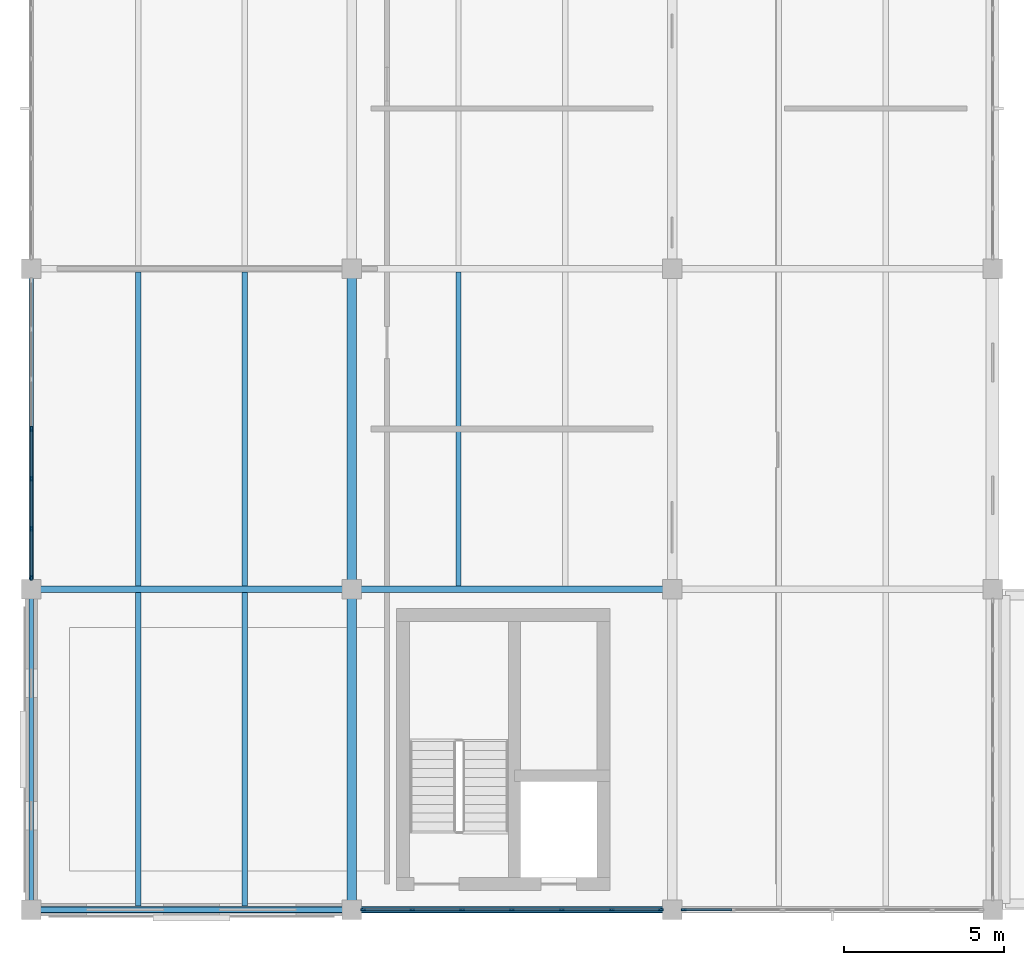
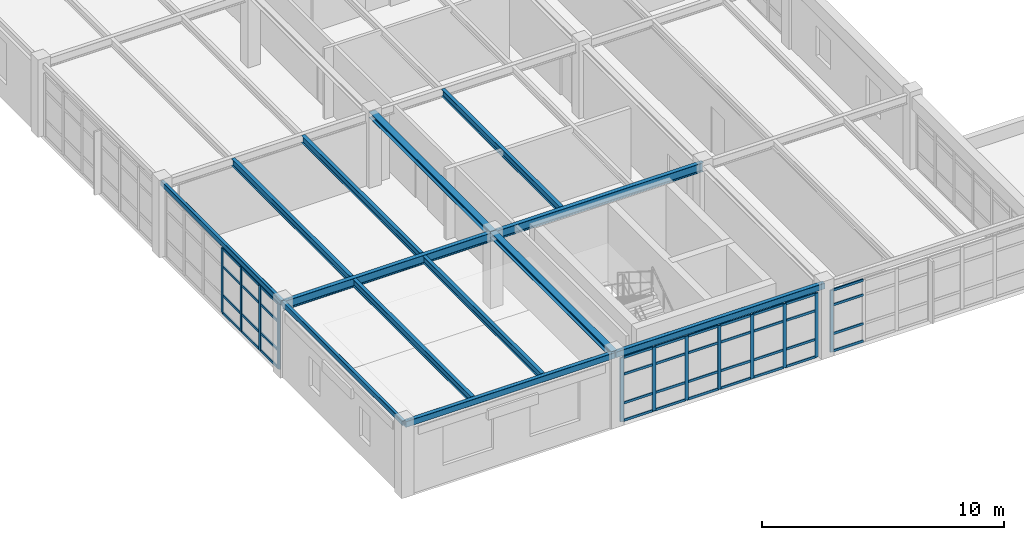
# One storey, part 6 of 23: 52 members, 13 beams, 3 elements without a shape of their own.
"""IFC4 building model written with IfcOpenShell, lengths in metres."""

from ifc_helpers import new_model, si_unit, direction, frame, origin, origin_2d, place, context, subcontext, project, spatial, rectangle, hollow_rectangle, i_section, extrude, material, layer, layer_set, material_profile, profile_set, type_object, element, aggregate, save


model = new_model("IFC4")

# Units and contexts
model_context = context("Model", 3, precision=1e-05, world=origin(), true_north=direction((0.0, 1.0)))
body_context = subcontext(model_context, "Body", "Model", "MODEL_VIEW")
ifc_project = project(units=[si_unit("LENGTHUNIT", "METRE"), si_unit("AREAUNIT", "SQUARE_METRE"), si_unit("VOLUMEUNIT", "CUBIC_METRE"), si_unit("PLANEANGLEUNIT", "RADIAN"), si_unit("MASSUNIT", "GRAM", prefix="KILO"), si_unit("THERMODYNAMICTEMPERATUREUNIT", "KELVIN"), si_unit("POWERUNIT", "WATT")], contexts=[model_context])

# Site, building, storey
site_placement = place(None, origin())
site = spatial("IfcSite", under=ifc_project, at=site_placement, CompositionType="ELEMENT")
building_placement = place(site_placement, origin())
building = spatial("IfcBuilding", under=site, at=building_placement, Name="Korenveer Ferry Terminal", CompositionType="ELEMENT")
storey_placement = place(building_placement, frame((0.0, 0.0, 14.39990234375)))
storey = spatial("IfcBuildingStorey", under=building, at=storey_placement, Name="L03", CompositionType="ELEMENT", Elevation=14.39990234375)

# Curtain wall, members
ifc_material_1 = material(Name="Unitised bronze-and-glass curtain wall", Category="glass")
ifc_layer_1 = layer(ifc_material_1, 0.159912109375)
ifc_layer_set_1 = layer_set([ifc_layer_1], Name="Unitised bronze-and-glass curtain wall")
curtain_wall_type_1 = type_object("IfcCurtainWallType", Name="ENV-CW-123", PredefinedType="USERDEFINED", material=ifc_layer_set_1)
curtain_wall_1_placement = place(storey_placement, frame((10.330078125, 20.0, 0.0)))
curtain_wall_1 = element("IfcCurtainWall", 1, at=curtain_wall_1_placement, inside=storey, type_object=curtain_wall_type_1, Name="Lancet curtain wall CWX-L03-X10-20-Y20-20", ObjectType="UNITISED CURTAIN WALL", PredefinedType="USERDEFINED")
ifc_material_2 = material(Name="Anodised bronze aluminium", Category="aluminium")
ifc_material_profile_1 = material_profile(ifc_material_2, rectangle(XDim=0.06005859375, YDim=0.159912109375, at=origin_2d()), Name="ALU 60x160")
ifc_profile_set_1 = profile_set([ifc_material_profile_1], Name="Anodised bronze aluminium")
member_type_1 = type_object("IfcMemberType", Name="ENV-CWM-60X160", PredefinedType="MULLION", material=ifc_profile_set_1)
member_1_placement = place(storey_placement, frame((10.360107421875, 20.0, 0.0), z_axis=(0.0, 0.0, 1.0), x_axis=(0.0, 1.0, 0.0)))
member_1 = element("IfcMember", 2, at=member_1_placement, type_object=member_type_1, Name="CW-123 mullion 1", PredefinedType="MULLION", context=body_context, shape_type="SweptSolid", body=[
    extrude(rectangle(XDim=0.06005859375, YDim=0.159912109375, at=origin_2d()), origin(), (0.0, 0.0, 1.0), 3.22021484375),
])
member_2_placement = place(storey_placement, frame((11.88671875, 20.0, 0.0), z_axis=(0.0, 0.0, 1.0), x_axis=(0.0, 1.0, 0.0)))
member_2 = element("IfcMember", 3, at=member_2_placement, type_object=member_type_1, Name="CW-123 mullion 2", PredefinedType="MULLION", context=body_context, shape_type="SweptSolid", body=[
    extrude(rectangle(XDim=0.06005859375, YDim=0.159912109375, at=origin_2d()), origin(), (0.0, 0.0, 1.0), 3.22021484375),
])
member_3_placement = place(storey_placement, frame((13.443359375, 20.0, 0.0), z_axis=(0.0, 0.0, 1.0), x_axis=(0.0, 1.0, 0.0)))
member_3 = element("IfcMember", 4, at=member_3_placement, type_object=member_type_1, Name="CW-123 mullion 3", PredefinedType="MULLION", context=body_context, shape_type="SweptSolid", body=[
    extrude(rectangle(XDim=0.06005859375, YDim=0.159912109375, at=origin_2d()), origin(), (0.0, 0.0, 1.0), 3.22021484375),
])
member_4_placement = place(storey_placement, frame((15.0, 20.0, 0.0), z_axis=(0.0, 0.0, 1.0), x_axis=(0.0, 1.0, 0.0)))
member_4 = element("IfcMember", 5, at=member_4_placement, type_object=member_type_1, Name="CW-123 mullion 4", PredefinedType="MULLION", context=body_context, shape_type="SweptSolid", body=[
    extrude(rectangle(XDim=0.06005859375, YDim=0.159912109375, at=origin_2d()), origin(), (0.0, 0.0, 1.0), 3.22021484375),
])
member_5_placement = place(storey_placement, frame((16.556640625, 20.0, 0.0), z_axis=(0.0, 0.0, 1.0), x_axis=(0.0, 1.0, 0.0)))
member_5 = element("IfcMember", 6, at=member_5_placement, type_object=member_type_1, Name="CW-123 mullion 5", PredefinedType="MULLION", context=body_context, shape_type="SweptSolid", body=[
    extrude(rectangle(XDim=0.06005859375, YDim=0.159912109375, at=origin_2d()), origin(), (0.0, 0.0, 1.0), 3.22021484375),
])
member_6_placement = place(storey_placement, frame((18.11328125, 20.0, 0.0), z_axis=(0.0, 0.0, 1.0), x_axis=(0.0, 1.0, 0.0)))
member_6 = element("IfcMember", 7, at=member_6_placement, type_object=member_type_1, Name="CW-123 mullion 6", PredefinedType="MULLION", context=body_context, shape_type="SweptSolid", body=[
    extrude(rectangle(XDim=0.06005859375, YDim=0.159912109375, at=origin_2d()), origin(), (0.0, 0.0, 1.0), 3.22021484375),
])
member_7_placement = place(storey_placement, frame((19.639892578125, 20.0, 0.0), z_axis=(0.0, 0.0, 1.0), x_axis=(0.0, 1.0, 0.0)))
member_7 = element("IfcMember", 8, at=member_7_placement, type_object=member_type_1, Name="CW-123 mullion 7", PredefinedType="MULLION", context=body_context, shape_type="SweptSolid", body=[
    extrude(rectangle(XDim=0.06005859375, YDim=0.159912109375, at=origin_2d()), origin(), (0.0, 0.0, 1.0), 3.22021484375),
])

# Curtain wall, member
ifc_layer_2 = layer(ifc_material_1, 0.159912109375)
ifc_layer_set_2 = layer_set([ifc_layer_2], Name="Unitised bronze-and-glass curtain wall")
curtain_wall_type_2 = type_object("IfcCurtainWallType", Name="ENV-CW-124", PredefinedType="USERDEFINED", material=ifc_layer_set_2)
curtain_wall_2_placement = place(storey_placement, frame((20.330078125, 20.0, 0.0)))
curtain_wall_2 = element("IfcCurtainWall", 9, at=curtain_wall_2_placement, inside=storey, type_object=curtain_wall_type_2, Name="Lancet curtain wall CWX-L03-X20-30-Y20-20", ObjectType="UNITISED CURTAIN WALL", PredefinedType="USERDEFINED")
member_8_placement = place(storey_placement, frame((20.360107421875, 20.0, 0.0), z_axis=(0.0, 0.0, 1.0), x_axis=(0.0, 1.0, 0.0)))
member_8 = element("IfcMember", 10, at=member_8_placement, type_object=member_type_1, Name="CW-124 mullion 1", PredefinedType="MULLION", context=body_context, shape_type="SweptSolid", body=[
    extrude(rectangle(XDim=0.06005859375, YDim=0.159912109375, at=origin_2d()), origin(), (0.0, 0.0, 1.0), 3.1201171875),
])

# Curtain wall, members
ifc_layer_3 = layer(ifc_material_1, 0.159912109375)
ifc_layer_set_3 = layer_set([ifc_layer_3], Name="Unitised bronze-and-glass curtain wall")
curtain_wall_type_3 = type_object("IfcCurtainWallType", Name="ENV-CW-108", PredefinedType="USERDEFINED", material=ifc_layer_set_3)
curtain_wall_3_placement = place(storey_placement, frame((0.0, 30.330078125, 0.0)))
curtain_wall_3 = element("IfcCurtainWall", 11, at=curtain_wall_3_placement, inside=storey, type_object=curtain_wall_type_3, Name="Lancet curtain wall CWX-L03-X0-0-Y30-40", ObjectType="UNITISED CURTAIN WALL", PredefinedType="USERDEFINED")
member_9_placement = place(storey_placement, frame((0.0, 30.360107421875, 0.0), z_axis=(0.0, 0.0, 1.0), x_axis=(-1.0, 0.0, 0.0)))
member_9 = element("IfcMember", 12, at=member_9_placement, type_object=member_type_1, Name="CW-108 mullion 1", PredefinedType="MULLION", context=body_context, shape_type="SweptSolid", body=[
    extrude(rectangle(XDim=0.06005859375, YDim=0.159912109375, at=origin_2d()), origin(), (0.0, 0.0, 1.0), 3.27001953125),
])
member_10_placement = place(storey_placement, frame((0.0, 31.88671875, 0.0), z_axis=(0.0, 0.0, 1.0), x_axis=(-1.0, 0.0, 0.0)))
member_10 = element("IfcMember", 13, at=member_10_placement, type_object=member_type_1, Name="CW-108 mullion 2", PredefinedType="MULLION", context=body_context, shape_type="SweptSolid", body=[
    extrude(rectangle(XDim=0.06005859375, YDim=0.159912109375, at=origin_2d()), origin(), (0.0, 0.0, 1.0), 3.27001953125),
])
member_11_placement = place(storey_placement, frame((0.0, 33.443359375, 0.0), z_axis=(0.0, 0.0, 1.0), x_axis=(-1.0, 0.0, 0.0)))
member_11 = element("IfcMember", 14, at=member_11_placement, type_object=member_type_1, Name="CW-108 mullion 3", PredefinedType="MULLION", context=body_context, shape_type="SweptSolid", body=[
    extrude(rectangle(XDim=0.06005859375, YDim=0.159912109375, at=origin_2d()), origin(), (0.0, 0.0, 1.0), 3.27001953125),
])
member_12_placement = place(storey_placement, frame((0.0, 35.0, 0.0), z_axis=(0.0, 0.0, 1.0), x_axis=(-1.0, 0.0, 0.0)))
member_12 = element("IfcMember", 15, at=member_12_placement, type_object=member_type_1, Name="CW-108 mullion 4", PredefinedType="MULLION", context=body_context, shape_type="SweptSolid", body=[
    extrude(rectangle(XDim=0.06005859375, YDim=0.159912109375, at=origin_2d()), origin(), (0.0, 0.0, 1.0), 3.27001953125),
])

# Member
ifc_material_profile_2 = material_profile(ifc_material_2, rectangle(XDim=0.06005859375, YDim=0.1201171875, at=origin_2d()), Name="ALU 60x120")
ifc_profile_set_2 = profile_set([ifc_material_profile_2], Name="Anodised bronze aluminium")
member_type_2 = type_object("IfcMemberType", Name="ENV-CWT-60X120", PredefinedType="USERDEFINED", material=ifc_profile_set_2)
member_13_placement = place(storey_placement, frame((10.389892578125, 20.0, 0.030029296875), z_axis=(1.0, 0.0, 0.0), x_axis=(0.0, 1.0, 0.0)))
member_13 = element("IfcMember", 16, at=member_13_placement, type_object=member_type_2, Name="CW-123 transom 1.1", ObjectType="TRANSOM", PredefinedType="USERDEFINED", context=body_context, shape_type="SweptSolid", body=[
    extrude(rectangle(XDim=0.06005859375, YDim=0.1201171875, at=origin_2d()), origin(), (0.0, 0.0, 1.0), 1.466796875),
])

member_14_placement = place(storey_placement, frame((10.389892578125, 20.0, 0.900146484375), z_axis=(1.0, 0.0, 0.0), x_axis=(0.0, 1.0, 0.0)))
member_14 = element("IfcMember", 17, at=member_14_placement, type_object=member_type_2, Name="CW-123 transom 1.2", ObjectType="TRANSOM", PredefinedType="USERDEFINED", context=body_context, shape_type="SweptSolid", body=[
    extrude(rectangle(XDim=0.06005859375, YDim=0.1201171875, at=origin_2d()), origin(), (0.0, 0.0, 1.0), 1.466796875),
])

member_15_placement = place(storey_placement, frame((10.389892578125, 20.0, 2.35009765625), z_axis=(1.0, 0.0, 0.0), x_axis=(0.0, 1.0, 0.0)))
member_15 = element("IfcMember", 18, at=member_15_placement, type_object=member_type_2, Name="CW-123 transom 1.3", ObjectType="TRANSOM", PredefinedType="USERDEFINED", context=body_context, shape_type="SweptSolid", body=[
    extrude(rectangle(XDim=0.06005859375, YDim=0.1201171875, at=origin_2d()), origin(), (0.0, 0.0, 1.0), 1.466796875),
])

member_16_placement = place(storey_placement, frame((10.389892578125, 20.0, 3.190185546875), z_axis=(1.0, 0.0, 0.0), x_axis=(0.0, 1.0, 0.0)))
member_16 = element("IfcMember", 19, at=member_16_placement, type_object=member_type_2, Name="CW-123 transom 1.4", ObjectType="TRANSOM", PredefinedType="USERDEFINED", context=body_context, shape_type="SweptSolid", body=[
    extrude(rectangle(XDim=0.06005859375, YDim=0.1201171875, at=origin_2d()), origin(), (0.0, 0.0, 1.0), 1.466796875),
])

member_17_placement = place(storey_placement, frame((11.916748046875, 20.0, 0.030029296875), z_axis=(1.0, 0.0, 0.0), x_axis=(0.0, 1.0, 0.0)))
member_17 = element("IfcMember", 20, at=member_17_placement, type_object=member_type_2, Name="CW-123 transom 2.1", ObjectType="TRANSOM", PredefinedType="USERDEFINED", context=body_context, shape_type="SweptSolid", body=[
    extrude(rectangle(XDim=0.06005859375, YDim=0.1201171875, at=origin_2d()), origin(), (0.0, 0.0, 1.0), 1.49658203125),
])

member_18_placement = place(storey_placement, frame((11.916748046875, 20.0, 0.900146484375), z_axis=(1.0, 0.0, 0.0), x_axis=(0.0, 1.0, 0.0)))
member_18 = element("IfcMember", 21, at=member_18_placement, type_object=member_type_2, Name="CW-123 transom 2.2", ObjectType="TRANSOM", PredefinedType="USERDEFINED", context=body_context, shape_type="SweptSolid", body=[
    extrude(rectangle(XDim=0.06005859375, YDim=0.1201171875, at=origin_2d()), origin(), (0.0, 0.0, 1.0), 1.49658203125),
])

member_19_placement = place(storey_placement, frame((11.916748046875, 20.0, 2.35009765625), z_axis=(1.0, 0.0, 0.0), x_axis=(0.0, 1.0, 0.0)))
member_19 = element("IfcMember", 22, at=member_19_placement, type_object=member_type_2, Name="CW-123 transom 2.3", ObjectType="TRANSOM", PredefinedType="USERDEFINED", context=body_context, shape_type="SweptSolid", body=[
    extrude(rectangle(XDim=0.06005859375, YDim=0.1201171875, at=origin_2d()), origin(), (0.0, 0.0, 1.0), 1.49658203125),
])

member_20_placement = place(storey_placement, frame((11.916748046875, 20.0, 3.190185546875), z_axis=(1.0, 0.0, 0.0), x_axis=(0.0, 1.0, 0.0)))
member_20 = element("IfcMember", 23, at=member_20_placement, type_object=member_type_2, Name="CW-123 transom 2.4", ObjectType="TRANSOM", PredefinedType="USERDEFINED", context=body_context, shape_type="SweptSolid", body=[
    extrude(rectangle(XDim=0.06005859375, YDim=0.1201171875, at=origin_2d()), origin(), (0.0, 0.0, 1.0), 1.49658203125),
])

member_21_placement = place(storey_placement, frame((13.473388671875, 20.0, 0.030029296875), z_axis=(1.0, 0.0, 0.0), x_axis=(0.0, 1.0, 0.0)))
member_21 = element("IfcMember", 24, at=member_21_placement, type_object=member_type_2, Name="CW-123 transom 3.1", ObjectType="TRANSOM", PredefinedType="USERDEFINED", context=body_context, shape_type="SweptSolid", body=[
    extrude(rectangle(XDim=0.06005859375, YDim=0.1201171875, at=origin_2d()), origin(), (0.0, 0.0, 1.0), 1.49658203125),
])

member_22_placement = place(storey_placement, frame((13.473388671875, 20.0, 0.900146484375), z_axis=(1.0, 0.0, 0.0), x_axis=(0.0, 1.0, 0.0)))
member_22 = element("IfcMember", 25, at=member_22_placement, type_object=member_type_2, Name="CW-123 transom 3.2", ObjectType="TRANSOM", PredefinedType="USERDEFINED", context=body_context, shape_type="SweptSolid", body=[
    extrude(rectangle(XDim=0.06005859375, YDim=0.1201171875, at=origin_2d()), origin(), (0.0, 0.0, 1.0), 1.49658203125),
])

member_23_placement = place(storey_placement, frame((13.473388671875, 20.0, 2.35009765625), z_axis=(1.0, 0.0, 0.0), x_axis=(0.0, 1.0, 0.0)))
member_23 = element("IfcMember", 26, at=member_23_placement, type_object=member_type_2, Name="CW-123 transom 3.3", ObjectType="TRANSOM", PredefinedType="USERDEFINED", context=body_context, shape_type="SweptSolid", body=[
    extrude(rectangle(XDim=0.06005859375, YDim=0.1201171875, at=origin_2d()), origin(), (0.0, 0.0, 1.0), 1.49658203125),
])

member_24_placement = place(storey_placement, frame((13.473388671875, 20.0, 3.190185546875), z_axis=(1.0, 0.0, 0.0), x_axis=(0.0, 1.0, 0.0)))
member_24 = element("IfcMember", 27, at=member_24_placement, type_object=member_type_2, Name="CW-123 transom 3.4", ObjectType="TRANSOM", PredefinedType="USERDEFINED", context=body_context, shape_type="SweptSolid", body=[
    extrude(rectangle(XDim=0.06005859375, YDim=0.1201171875, at=origin_2d()), origin(), (0.0, 0.0, 1.0), 1.49658203125),
])

member_25_placement = place(storey_placement, frame((15.030029296875, 20.0, 0.030029296875), z_axis=(1.0, 0.0, 0.0), x_axis=(0.0, 1.0, 0.0)))
member_25 = element("IfcMember", 28, at=member_25_placement, type_object=member_type_2, Name="CW-123 transom 4.1", ObjectType="TRANSOM", PredefinedType="USERDEFINED", context=body_context, shape_type="SweptSolid", body=[
    extrude(rectangle(XDim=0.06005859375, YDim=0.1201171875, at=origin_2d()), origin(), (0.0, 0.0, 1.0), 1.49658203125),
])

member_26_placement = place(storey_placement, frame((15.030029296875, 20.0, 0.900146484375), z_axis=(1.0, 0.0, 0.0), x_axis=(0.0, 1.0, 0.0)))
member_26 = element("IfcMember", 29, at=member_26_placement, type_object=member_type_2, Name="CW-123 transom 4.2", ObjectType="TRANSOM", PredefinedType="USERDEFINED", context=body_context, shape_type="SweptSolid", body=[
    extrude(rectangle(XDim=0.06005859375, YDim=0.1201171875, at=origin_2d()), origin(), (0.0, 0.0, 1.0), 1.49658203125),
])

member_27_placement = place(storey_placement, frame((15.030029296875, 20.0, 2.35009765625), z_axis=(1.0, 0.0, 0.0), x_axis=(0.0, 1.0, 0.0)))
member_27 = element("IfcMember", 30, at=member_27_placement, type_object=member_type_2, Name="CW-123 transom 4.3", ObjectType="TRANSOM", PredefinedType="USERDEFINED", context=body_context, shape_type="SweptSolid", body=[
    extrude(rectangle(XDim=0.06005859375, YDim=0.1201171875, at=origin_2d()), origin(), (0.0, 0.0, 1.0), 1.49658203125),
])

member_28_placement = place(storey_placement, frame((15.030029296875, 20.0, 3.190185546875), z_axis=(1.0, 0.0, 0.0), x_axis=(0.0, 1.0, 0.0)))
member_28 = element("IfcMember", 31, at=member_28_placement, type_object=member_type_2, Name="CW-123 transom 4.4", ObjectType="TRANSOM", PredefinedType="USERDEFINED", context=body_context, shape_type="SweptSolid", body=[
    extrude(rectangle(XDim=0.06005859375, YDim=0.1201171875, at=origin_2d()), origin(), (0.0, 0.0, 1.0), 1.49658203125),
])

member_29_placement = place(storey_placement, frame((16.586669921875, 20.0, 0.030029296875), z_axis=(1.0, 0.0, 0.0), x_axis=(0.0, 1.0, 0.0)))
member_29 = element("IfcMember", 32, at=member_29_placement, type_object=member_type_2, Name="CW-123 transom 5.1", ObjectType="TRANSOM", PredefinedType="USERDEFINED", context=body_context, shape_type="SweptSolid", body=[
    extrude(rectangle(XDim=0.06005859375, YDim=0.1201171875, at=origin_2d()), origin(), (0.0, 0.0, 1.0), 1.49658203125),
])

member_30_placement = place(storey_placement, frame((16.586669921875, 20.0, 0.900146484375), z_axis=(1.0, 0.0, 0.0), x_axis=(0.0, 1.0, 0.0)))
member_30 = element("IfcMember", 33, at=member_30_placement, type_object=member_type_2, Name="CW-123 transom 5.2", ObjectType="TRANSOM", PredefinedType="USERDEFINED", context=body_context, shape_type="SweptSolid", body=[
    extrude(rectangle(XDim=0.06005859375, YDim=0.1201171875, at=origin_2d()), origin(), (0.0, 0.0, 1.0), 1.49658203125),
])

member_31_placement = place(storey_placement, frame((16.586669921875, 20.0, 2.35009765625), z_axis=(1.0, 0.0, 0.0), x_axis=(0.0, 1.0, 0.0)))
member_31 = element("IfcMember", 34, at=member_31_placement, type_object=member_type_2, Name="CW-123 transom 5.3", ObjectType="TRANSOM", PredefinedType="USERDEFINED", context=body_context, shape_type="SweptSolid", body=[
    extrude(rectangle(XDim=0.06005859375, YDim=0.1201171875, at=origin_2d()), origin(), (0.0, 0.0, 1.0), 1.49658203125),
])

member_32_placement = place(storey_placement, frame((16.586669921875, 20.0, 3.190185546875), z_axis=(1.0, 0.0, 0.0), x_axis=(0.0, 1.0, 0.0)))
member_32 = element("IfcMember", 35, at=member_32_placement, type_object=member_type_2, Name="CW-123 transom 5.4", ObjectType="TRANSOM", PredefinedType="USERDEFINED", context=body_context, shape_type="SweptSolid", body=[
    extrude(rectangle(XDim=0.06005859375, YDim=0.1201171875, at=origin_2d()), origin(), (0.0, 0.0, 1.0), 1.49658203125),
])

member_33_placement = place(storey_placement, frame((18.143310546875, 20.0, 0.030029296875), z_axis=(1.0, 0.0, 0.0), x_axis=(0.0, 1.0, 0.0)))
member_33 = element("IfcMember", 36, at=member_33_placement, type_object=member_type_2, Name="CW-123 transom 6.1", ObjectType="TRANSOM", PredefinedType="USERDEFINED", context=body_context, shape_type="SweptSolid", body=[
    extrude(rectangle(XDim=0.06005859375, YDim=0.1201171875, at=origin_2d()), origin(), (0.0, 0.0, 1.0), 1.466796875),
])

member_34_placement = place(storey_placement, frame((18.143310546875, 20.0, 0.900146484375), z_axis=(1.0, 0.0, 0.0), x_axis=(0.0, 1.0, 0.0)))
member_34 = element("IfcMember", 37, at=member_34_placement, type_object=member_type_2, Name="CW-123 transom 6.2", ObjectType="TRANSOM", PredefinedType="USERDEFINED", context=body_context, shape_type="SweptSolid", body=[
    extrude(rectangle(XDim=0.06005859375, YDim=0.1201171875, at=origin_2d()), origin(), (0.0, 0.0, 1.0), 1.466796875),
])

member_35_placement = place(storey_placement, frame((18.143310546875, 20.0, 2.35009765625), z_axis=(1.0, 0.0, 0.0), x_axis=(0.0, 1.0, 0.0)))
member_35 = element("IfcMember", 38, at=member_35_placement, type_object=member_type_2, Name="CW-123 transom 6.3", ObjectType="TRANSOM", PredefinedType="USERDEFINED", context=body_context, shape_type="SweptSolid", body=[
    extrude(rectangle(XDim=0.06005859375, YDim=0.1201171875, at=origin_2d()), origin(), (0.0, 0.0, 1.0), 1.466796875),
])

member_36_placement = place(storey_placement, frame((18.143310546875, 20.0, 3.190185546875), z_axis=(1.0, 0.0, 0.0), x_axis=(0.0, 1.0, 0.0)))
member_36 = element("IfcMember", 39, at=member_36_placement, type_object=member_type_2, Name="CW-123 transom 6.4", ObjectType="TRANSOM", PredefinedType="USERDEFINED", context=body_context, shape_type="SweptSolid", body=[
    extrude(rectangle(XDim=0.06005859375, YDim=0.1201171875, at=origin_2d()), origin(), (0.0, 0.0, 1.0), 1.466796875),
])

aggregate(curtain_wall_1, [member_1, member_2, member_3, member_4, member_5, member_6, member_7, member_13, member_14, member_15, member_16, member_17, member_18, member_19, member_20, member_21, member_22, member_23, member_24, member_25, member_26, member_27, member_28, member_29, member_30, member_31, member_32, member_33, member_34, member_35, member_36])

member_37_placement = place(storey_placement, frame((20.389892578125, 20.0, 0.030029296875), z_axis=(1.0, 0.0, 0.0), x_axis=(0.0, 1.0, 0.0)))
member_37 = element("IfcMember", 40, at=member_37_placement, type_object=member_type_2, Name="CW-124 transom 1.1", ObjectType="TRANSOM", PredefinedType="USERDEFINED", context=body_context, shape_type="SweptSolid", body=[
    extrude(rectangle(XDim=0.06005859375, YDim=0.1201171875, at=origin_2d()), origin(), (0.0, 0.0, 1.0), 1.466796875),
])

member_38_placement = place(storey_placement, frame((20.389892578125, 20.0, 0.900146484375), z_axis=(1.0, 0.0, 0.0), x_axis=(0.0, 1.0, 0.0)))
member_38 = element("IfcMember", 41, at=member_38_placement, type_object=member_type_2, Name="CW-124 transom 1.2", ObjectType="TRANSOM", PredefinedType="USERDEFINED", context=body_context, shape_type="SweptSolid", body=[
    extrude(rectangle(XDim=0.06005859375, YDim=0.1201171875, at=origin_2d()), origin(), (0.0, 0.0, 1.0), 1.466796875),
])

member_39_placement = place(storey_placement, frame((20.389892578125, 20.0, 2.35009765625), z_axis=(1.0, 0.0, 0.0), x_axis=(0.0, 1.0, 0.0)))
member_39 = element("IfcMember", 42, at=member_39_placement, type_object=member_type_2, Name="CW-124 transom 1.3", ObjectType="TRANSOM", PredefinedType="USERDEFINED", context=body_context, shape_type="SweptSolid", body=[
    extrude(rectangle(XDim=0.06005859375, YDim=0.1201171875, at=origin_2d()), origin(), (0.0, 0.0, 1.0), 1.466796875),
])

member_40_placement = place(storey_placement, frame((20.389892578125, 20.0, 3.090087890625), z_axis=(1.0, 0.0, 0.0), x_axis=(0.0, 1.0, 0.0)))
member_40 = element("IfcMember", 43, at=member_40_placement, type_object=member_type_2, Name="CW-124 transom 1.4", ObjectType="TRANSOM", PredefinedType="USERDEFINED", context=body_context, shape_type="SweptSolid", body=[
    extrude(rectangle(XDim=0.06005859375, YDim=0.1201171875, at=origin_2d()), origin(), (0.0, 0.0, 1.0), 1.466796875),
])

aggregate(curtain_wall_2, [member_8, member_37, member_38, member_39, member_40])

member_41_placement = place(storey_placement, frame((0.0, 30.389892578125, 0.030029296875), z_axis=(0.0, 1.0, 0.0), x_axis=(-1.0, 0.0, 0.0)))
member_41 = element("IfcMember", 44, at=member_41_placement, type_object=member_type_2, Name="CW-108 transom 1.1", ObjectType="TRANSOM", PredefinedType="USERDEFINED", context=body_context, shape_type="SweptSolid", body=[
    extrude(rectangle(XDim=0.06005859375, YDim=0.1201171875, at=origin_2d()), origin(), (0.0, 0.0, 1.0), 1.466796875),
])

member_42_placement = place(storey_placement, frame((0.0, 30.389892578125, 0.900146484375), z_axis=(0.0, 1.0, 0.0), x_axis=(-1.0, 0.0, 0.0)))
member_42 = element("IfcMember", 45, at=member_42_placement, type_object=member_type_2, Name="CW-108 transom 1.2", ObjectType="TRANSOM", PredefinedType="USERDEFINED", context=body_context, shape_type="SweptSolid", body=[
    extrude(rectangle(XDim=0.06005859375, YDim=0.1201171875, at=origin_2d()), origin(), (0.0, 0.0, 1.0), 1.466796875),
])

member_43_placement = place(storey_placement, frame((0.0, 30.389892578125, 2.35009765625), z_axis=(0.0, 1.0, 0.0), x_axis=(-1.0, 0.0, 0.0)))
member_43 = element("IfcMember", 46, at=member_43_placement, type_object=member_type_2, Name="CW-108 transom 1.3", ObjectType="TRANSOM", PredefinedType="USERDEFINED", context=body_context, shape_type="SweptSolid", body=[
    extrude(rectangle(XDim=0.06005859375, YDim=0.1201171875, at=origin_2d()), origin(), (0.0, 0.0, 1.0), 1.466796875),
])

member_44_placement = place(storey_placement, frame((0.0, 30.389892578125, 3.239990234375), z_axis=(0.0, 1.0, 0.0), x_axis=(-1.0, 0.0, 0.0)))
member_44 = element("IfcMember", 47, at=member_44_placement, type_object=member_type_2, Name="CW-108 transom 1.4", ObjectType="TRANSOM", PredefinedType="USERDEFINED", context=body_context, shape_type="SweptSolid", body=[
    extrude(rectangle(XDim=0.06005859375, YDim=0.1201171875, at=origin_2d()), origin(), (0.0, 0.0, 1.0), 1.466796875),
])

member_45_placement = place(storey_placement, frame((0.0, 31.916748046875, 0.030029296875), z_axis=(0.0, 1.0, 0.0), x_axis=(-1.0, 0.0, 0.0)))
member_45 = element("IfcMember", 48, at=member_45_placement, type_object=member_type_2, Name="CW-108 transom 2.1", ObjectType="TRANSOM", PredefinedType="USERDEFINED", context=body_context, shape_type="SweptSolid", body=[
    extrude(rectangle(XDim=0.06005859375, YDim=0.1201171875, at=origin_2d()), origin(), (0.0, 0.0, 1.0), 1.49658203125),
])

member_46_placement = place(storey_placement, frame((0.0, 31.916748046875, 0.900146484375), z_axis=(0.0, 1.0, 0.0), x_axis=(-1.0, 0.0, 0.0)))
member_46 = element("IfcMember", 49, at=member_46_placement, type_object=member_type_2, Name="CW-108 transom 2.2", ObjectType="TRANSOM", PredefinedType="USERDEFINED", context=body_context, shape_type="SweptSolid", body=[
    extrude(rectangle(XDim=0.06005859375, YDim=0.1201171875, at=origin_2d()), origin(), (0.0, 0.0, 1.0), 1.49658203125),
])

member_47_placement = place(storey_placement, frame((0.0, 31.916748046875, 2.35009765625), z_axis=(0.0, 1.0, 0.0), x_axis=(-1.0, 0.0, 0.0)))
member_47 = element("IfcMember", 50, at=member_47_placement, type_object=member_type_2, Name="CW-108 transom 2.3", ObjectType="TRANSOM", PredefinedType="USERDEFINED", context=body_context, shape_type="SweptSolid", body=[
    extrude(rectangle(XDim=0.06005859375, YDim=0.1201171875, at=origin_2d()), origin(), (0.0, 0.0, 1.0), 1.49658203125),
])

member_48_placement = place(storey_placement, frame((0.0, 31.916748046875, 3.239990234375), z_axis=(0.0, 1.0, 0.0), x_axis=(-1.0, 0.0, 0.0)))
member_48 = element("IfcMember", 51, at=member_48_placement, type_object=member_type_2, Name="CW-108 transom 2.4", ObjectType="TRANSOM", PredefinedType="USERDEFINED", context=body_context, shape_type="SweptSolid", body=[
    extrude(rectangle(XDim=0.06005859375, YDim=0.1201171875, at=origin_2d()), origin(), (0.0, 0.0, 1.0), 1.49658203125),
])

member_49_placement = place(storey_placement, frame((0.0, 33.473388671875, 0.030029296875), z_axis=(0.0, 1.0, 0.0), x_axis=(-1.0, 0.0, 0.0)))
member_49 = element("IfcMember", 52, at=member_49_placement, type_object=member_type_2, Name="CW-108 transom 3.1", ObjectType="TRANSOM", PredefinedType="USERDEFINED", context=body_context, shape_type="SweptSolid", body=[
    extrude(rectangle(XDim=0.06005859375, YDim=0.1201171875, at=origin_2d()), origin(), (0.0, 0.0, 1.0), 1.49658203125),
])

member_50_placement = place(storey_placement, frame((0.0, 33.473388671875, 0.900146484375), z_axis=(0.0, 1.0, 0.0), x_axis=(-1.0, 0.0, 0.0)))
member_50 = element("IfcMember", 53, at=member_50_placement, type_object=member_type_2, Name="CW-108 transom 3.2", ObjectType="TRANSOM", PredefinedType="USERDEFINED", context=body_context, shape_type="SweptSolid", body=[
    extrude(rectangle(XDim=0.06005859375, YDim=0.1201171875, at=origin_2d()), origin(), (0.0, 0.0, 1.0), 1.49658203125),
])

member_51_placement = place(storey_placement, frame((0.0, 33.473388671875, 2.35009765625), z_axis=(0.0, 1.0, 0.0), x_axis=(-1.0, 0.0, 0.0)))
member_51 = element("IfcMember", 54, at=member_51_placement, type_object=member_type_2, Name="CW-108 transom 3.3", ObjectType="TRANSOM", PredefinedType="USERDEFINED", context=body_context, shape_type="SweptSolid", body=[
    extrude(rectangle(XDim=0.06005859375, YDim=0.1201171875, at=origin_2d()), origin(), (0.0, 0.0, 1.0), 1.49658203125),
])

member_52_placement = place(storey_placement, frame((0.0, 33.473388671875, 3.239990234375), z_axis=(0.0, 1.0, 0.0), x_axis=(-1.0, 0.0, 0.0)))
member_52 = element("IfcMember", 55, at=member_52_placement, type_object=member_type_2, Name="CW-108 transom 3.4", ObjectType="TRANSOM", PredefinedType="USERDEFINED", context=body_context, shape_type="SweptSolid", body=[
    extrude(rectangle(XDim=0.06005859375, YDim=0.1201171875, at=origin_2d()), origin(), (0.0, 0.0, 1.0), 1.49658203125),
])

aggregate(curtain_wall_3, [member_9, member_10, member_11, member_12, member_41, member_42, member_43, member_44, member_45, member_46, member_47, member_48, member_49, member_50, member_51, member_52])

# Beams
ifc_material_3 = material(Name="Steel S355", Category="steel")
ifc_material_profile_3 = material_profile(ifc_material_3, i_section(OverallWidth=0.300048828125, OverallDepth=0.2900390625, WebThickness=0.008544921875, FlangeThickness=0.013916015625, FilletRadius=0.027099609375, at=origin_2d()), Name="HEA 300")
ifc_profile_set_3 = profile_set([ifc_material_profile_3], Name="Steel S355")
beam_type_1 = type_object("IfcBeamType", Name="STR-BM-HEA300", PredefinedType="BEAM", material=ifc_profile_set_3)
for number, where, z_axis, x_axis, name in (
    (56, (10.0, 20.02001953125, 3.505126953125), (0.0, 1.0, 0.0), (-1.0, 0.0, 0.0), "Primary Y girder BMY-L04-X10-Y20-30"),
    (57, (10.0, 30.02001953125, 3.505126953125), (0.0, 1.0, 0.0), (-1.0, 0.0, 0.0), "Primary Y girder BMY-L04-X10-Y30-40"),
):
    element("IfcBeam", number, at=place(storey_placement, frame(where, z_axis=z_axis, x_axis=x_axis)), inside=storey, type_object=beam_type_1, Name=name, PredefinedType="BEAM", context=body_context, shape_type="SweptSolid", body=[
        extrude(i_section(OverallWidth=0.300048828125, OverallDepth=0.2900390625, WebThickness=0.008544921875, FlangeThickness=0.013916015625, FilletRadius=0.027099609375, at=origin_2d()), origin(), (0.0, 0.0, 1.0), 9.9599609375),
    ])
ifc_material_profile_4 = material_profile(ifc_material_3, i_section(OverallWidth=0.18994140625, OverallDepth=0.449951171875, WebThickness=0.009521484375, FlangeThickness=0.0146484375, FilletRadius=0.02099609375, at=origin_2d()), Name="IPE 450")
ifc_profile_set_4 = profile_set([ifc_material_profile_4], Name="Steel S355")
beam_type_2 = type_object("IfcBeamType", Name="STR-BM-IPE450", PredefinedType="BEAM", material=ifc_profile_set_4)
for number, where, z_axis, x_axis, name in (
    (58, (0.02001953125, 30.0, 3.425048828125), (1.0, 0.0, 0.0), (0.0, 1.0, 0.0), "Primary X girder BMX-L04-X0-10-Y30"),
    (59, (10.02001953125, 30.0, 3.425048828125), (1.0, 0.0, 0.0), (0.0, 1.0, 0.0), "Primary X girder BMX-L04-X10-20-Y30"),
):
    element("IfcBeam", number, at=place(storey_placement, frame(where, z_axis=z_axis, x_axis=x_axis)), inside=storey, type_object=beam_type_2, Name=name, PredefinedType="BEAM", context=body_context, shape_type="SweptSolid", body=[
        extrude(i_section(OverallWidth=0.18994140625, OverallDepth=0.449951171875, WebThickness=0.009521484375, FlangeThickness=0.0146484375, FilletRadius=0.02099609375, at=origin_2d()), origin(), (0.0, 0.0, 1.0), 9.9599609375),
    ])
ifc_material_profile_5 = material_profile(ifc_material_3, i_section(OverallWidth=0.169921875, OverallDepth=0.360107421875, WebThickness=0.008056640625, FlangeThickness=0.0126953125, FilletRadius=0.01806640625, at=origin_2d()), Name="IPE 360")
ifc_profile_set_5 = profile_set([ifc_material_profile_5], Name="Steel S355")
beam_type_3 = type_object("IfcBeamType", Name="STR-JST-IPE360", PredefinedType="JOIST", material=ifc_profile_set_5)
for number, where, z_axis, x_axis, name in (
    (60, (3.333251953125, 20.110107421875, 3.47021484375), (0.0, 1.0, 0.0), (-1.0, 0.0, 0.0), "Secondary composite joist JST-L04-X33-Y20-30"),
    (61, (6.666748046875, 20.110107421875, 3.47021484375), (0.0, 1.0, 0.0), (-1.0, 0.0, 0.0), "Secondary composite joist JST-L04-X67-Y20-30"),
):
    element("IfcBeam", number, at=place(storey_placement, frame(where, z_axis=z_axis, x_axis=x_axis)), inside=storey, type_object=beam_type_3, Name=name, PredefinedType="JOIST", context=body_context, shape_type="SweptSolid", body=[
        extrude(i_section(OverallWidth=0.169921875, OverallDepth=0.360107421875, WebThickness=0.008056640625, FlangeThickness=0.0126953125, FilletRadius=0.01806640625, at=origin_2d()), origin(), (0.0, 0.0, 1.0), 9.784912109375),
    ])
for number, where, z_axis, x_axis, name in (
    (62, (3.333251953125, 30.10498046875, 3.47021484375), (0.0, 1.0, 0.0), (-1.0, 0.0, 0.0), "Secondary composite joist JST-L04-X33-Y30-40"),
    (63, (6.666748046875, 30.10498046875, 3.47021484375), (0.0, 1.0, 0.0), (-1.0, 0.0, 0.0), "Secondary composite joist JST-L04-X67-Y30-40"),
    (64, (13.333251953125, 30.10498046875, 3.47021484375), (0.0, 1.0, 0.0), (-1.0, 0.0, 0.0), "Secondary composite joist JST-L04-X133-Y30-40"),
):
    element("IfcBeam", number, at=place(storey_placement, frame(where, z_axis=z_axis, x_axis=x_axis)), inside=storey, type_object=beam_type_3, Name=name, PredefinedType="JOIST", context=body_context, shape_type="SweptSolid", body=[
        extrude(i_section(OverallWidth=0.169921875, OverallDepth=0.360107421875, WebThickness=0.008056640625, FlangeThickness=0.0126953125, FilletRadius=0.01806640625, at=origin_2d()), origin(), (0.0, 0.0, 1.0), 9.7900390625),
    ])
ifc_material_profile_6 = material_profile(ifc_material_3, hollow_rectangle(XDim=0.14990234375, YDim=0.25, WallThickness=0.010009765625, InnerFilletRadius=0.010009765625, OuterFilletRadius=0.014892578125, at=origin_2d()), Name="RHS 250x150x10")
ifc_profile_set_6 = profile_set([ifc_material_profile_6], Name="Steel S355")
beam_type_4 = type_object("IfcBeamType", Name="STR-SPD-RHS250", PredefinedType="SPANDREL", material=ifc_profile_set_6)
for number, where, z_axis, x_axis, name in (
    (65, (0.0, 20.02001953125, 3.525146484375), (0.0, 1.0, 0.0), (-1.0, 0.0, 0.0), "Primary Y girder BMY-L04-X0-Y20-30"),
    (66, (0.0, 30.02001953125, 3.525146484375), (0.0, 1.0, 0.0), (-1.0, 0.0, 0.0), "Primary Y girder BMY-L04-X0-Y30-40"),
):
    element("IfcBeam", number, at=place(storey_placement, frame(where, z_axis=z_axis, x_axis=x_axis)), inside=storey, type_object=beam_type_4, Name=name, PredefinedType="SPANDREL", context=body_context, shape_type="SweptSolid", body=[
        extrude(hollow_rectangle(XDim=0.14990234375, YDim=0.25, WallThickness=0.010009765625, InnerFilletRadius=0.010009765625, OuterFilletRadius=0.014892578125, at=origin_2d()), origin(), (0.0, 0.0, 1.0), 9.9599609375),
    ])
ifc_material_profile_7 = material_profile(ifc_material_3, hollow_rectangle(XDim=0.199951171875, YDim=0.300048828125, WallThickness=0.012451171875, InnerFilletRadius=0.012451171875, OuterFilletRadius=0.018798828125, at=origin_2d()), Name="RHS 300x200x12.5")
ifc_profile_set_7 = profile_set([ifc_material_profile_7], Name="Steel S355")
beam_type_5 = type_object("IfcBeamType", Name="STR-SPD-RHS300", PredefinedType="SPANDREL", material=ifc_profile_set_7)
for number, where, z_axis, x_axis, name in (
    (67, (0.02001953125, 20.0, 3.5), (1.0, 0.0, 0.0), (0.0, 1.0, 0.0), "Primary X girder BMX-L04-X0-10-Y20"),
    (68, (10.02001953125, 20.0, 3.5), (1.0, 0.0, 0.0), (0.0, 1.0, 0.0), "Primary X girder BMX-L04-X10-20-Y20"),
):
    element("IfcBeam", number, at=place(storey_placement, frame(where, z_axis=z_axis, x_axis=x_axis)), inside=storey, type_object=beam_type_5, Name=name, PredefinedType="SPANDREL", context=body_context, shape_type="SweptSolid", body=[
        extrude(hollow_rectangle(XDim=0.199951171875, YDim=0.300048828125, WallThickness=0.012451171875, InnerFilletRadius=0.012451171875, OuterFilletRadius=0.018798828125, at=origin_2d()), origin(), (0.0, 0.0, 1.0), 9.9599609375),
    ])

save(model, "model.ifc")
